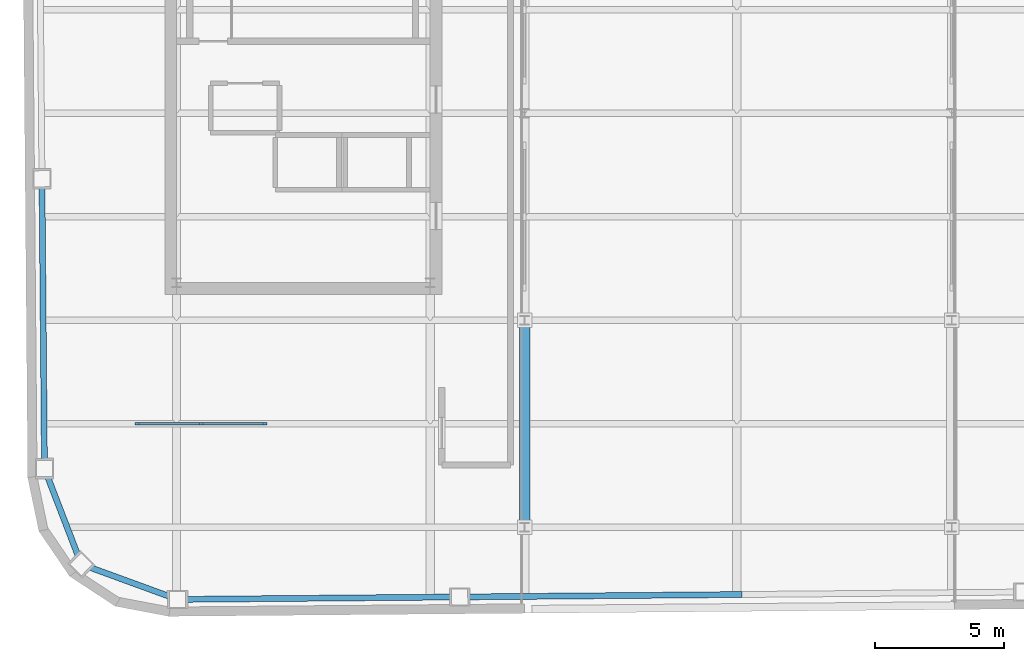
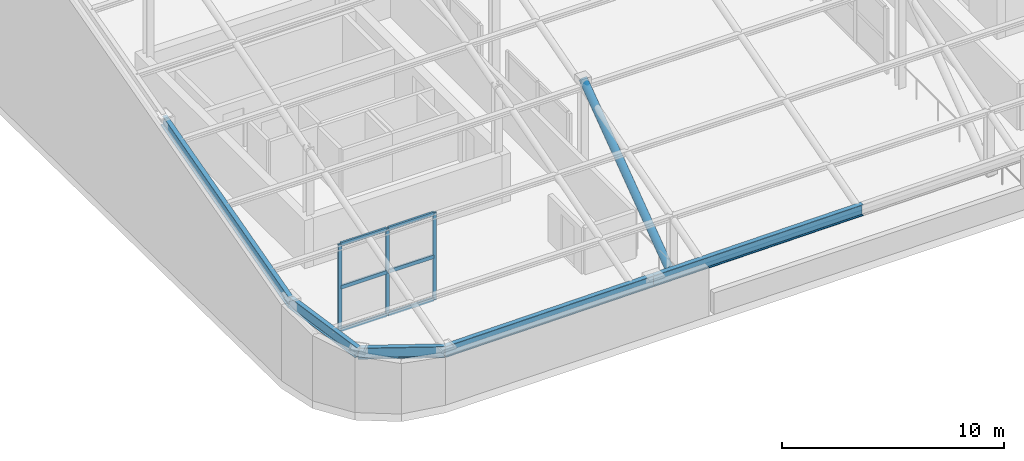
# One storey, part 5 of 17: 10 members, 5 beams, 1 element without a shape of its own.
"""IFC4 building model written with IfcOpenShell, lengths in metres."""

from ifc_helpers import new_model, si_unit, direction, frame, origin, origin_2d, place, context, subcontext, project, spatial, rectangle, hollow_circle, i_section, extrude, material, material_profile, profile_set, type_object, element, aggregate, save


model = new_model("IFC4")

# Units and contexts
model_context = context("Model", 3, precision=1e-05, world=origin(), true_north=direction((0.0, 1.0)))
body_context = subcontext(model_context, "Body", "Model", "MODEL_VIEW")
ifc_project = project(units=[si_unit("LENGTHUNIT", "METRE"), si_unit("AREAUNIT", "SQUARE_METRE"), si_unit("VOLUMEUNIT", "CUBIC_METRE"), si_unit("PLANEANGLEUNIT", "RADIAN"), si_unit("MASSUNIT", "GRAM", prefix="KILO")], contexts=[model_context])

# Site, building, storey
site_placement = place(None, origin())
site = spatial("IfcSite", under=ifc_project, at=site_placement, CompositionType="ELEMENT")
building_placement = place(site_placement, origin())
building = spatial("IfcBuilding", under=site, at=building_placement, Name="Kolvaren Arena Tower", CompositionType="ELEMENT")
storey_placement = place(building_placement, frame((0.0, 0.0, 322.0)))
storey = spatial("IfcBuildingStorey", under=building, at=storey_placement, Name="Roof Crown", CompositionType="ELEMENT", Elevation=322.0)

# Curtain wall, members
ifc_material_1 = material(Name="Anodised aluminium unitised curtain wall", Category="aluminium")
curtain_wall_type = type_object("IfcCurtainWallType", Name="CW-SYS-07", PredefinedType="USERDEFINED", material=ifc_material_1)
curtain_wall_placement = place(storey_placement, origin())
curtain_wall = element("IfcCurtainWall", 1, at=curtain_wall_placement, inside=storey, type_object=curtain_wall_type, Name="Crown Clerestory Curtain Wall (Roof Crown)", ObjectType="UNITISED CURTAIN WALL", PredefinedType="USERDEFINED")
ifc_material_2 = material(Name="Anodised aluminium 6063-T6", Category="aluminium")
ifc_material_profile_1 = material_profile(ifc_material_2, rectangle(XDim=0.080078125, YDim=0.179931640625, at=origin_2d()), Name="ALU-80x180")
ifc_profile_set_1 = profile_set([ifc_material_profile_1], Name="Anodised aluminium 6063-T6")
member_type_1 = type_object("IfcMemberType", Name="CWM-STD", PredefinedType="MULLION", material=ifc_profile_set_1)
member_1_placement = place(storey_placement, frame((13.0400390625, 14.0, 0.0), z_axis=(0.0, 0.0, 1.0), x_axis=(0.0, 1.0, 0.0)))
member_1 = element("IfcMember", 2, at=member_1_placement, type_object=member_type_1, Name="CW7 mullion 1", PredefinedType="MULLION", context=body_context, shape_type="SweptSolid", body=[
    extrude(rectangle(XDim=0.080078125, YDim=0.179931640625, at=origin_2d()), origin(), (0.0, 0.0, 1.0), 4.800048828125),
])
member_2_placement = place(storey_placement, frame((15.5, 14.0, 0.0), z_axis=(0.0, 0.0, 1.0), x_axis=(0.0, 1.0, 0.0)))
member_2 = element("IfcMember", 3, at=member_2_placement, type_object=member_type_1, Name="CW7 mullion 2", PredefinedType="MULLION", context=body_context, shape_type="SweptSolid", body=[
    extrude(rectangle(XDim=0.080078125, YDim=0.179931640625, at=origin_2d()), origin(), (0.0, 0.0, 1.0), 4.800048828125),
])
member_3_placement = place(storey_placement, frame((17.9599609375, 14.0, 0.0), z_axis=(0.0, 0.0, 1.0), x_axis=(0.0, 1.0, 0.0)))
member_3 = element("IfcMember", 4, at=member_3_placement, type_object=member_type_1, Name="CW7 mullion 3", PredefinedType="MULLION", context=body_context, shape_type="SweptSolid", body=[
    extrude(rectangle(XDim=0.080078125, YDim=0.179931640625, at=origin_2d()), origin(), (0.0, 0.0, 1.0), 4.800048828125),
])
ifc_material_profile_2 = material_profile(ifc_material_2, rectangle(XDim=0.10009765625, YDim=0.199951171875, at=origin_2d()), Name="ALU-100x200")
ifc_profile_set_2 = profile_set([ifc_material_profile_2], Name="Anodised aluminium 6063-T6")
member_type_2 = type_object("IfcMemberType", Name="CWT-HVY", PredefinedType="USERDEFINED", material=ifc_profile_set_2)
member_4_placement = place(storey_placement, frame((13.080078125, 14.0, 0.050048828125), z_axis=(1.0, 0.0, 0.0), x_axis=(0.0, 1.0, 0.0)))
member_4 = element("IfcMember", 5, at=member_4_placement, type_object=member_type_2, Name="CW7 transom 1.1", ObjectType="TRANSOM", PredefinedType="USERDEFINED", context=body_context, shape_type="SweptSolid", body=[
    extrude(rectangle(XDim=0.10009765625, YDim=0.199951171875, at=origin_2d()), origin(), (0.0, 0.0, 1.0), 2.3798828125),
])
member_5_placement = place(storey_placement, frame((13.080078125, 14.0, 2.39990234375), z_axis=(1.0, 0.0, 0.0), x_axis=(0.0, 1.0, 0.0)))
member_5 = element("IfcMember", 6, at=member_5_placement, type_object=member_type_2, Name="CW7 transom 1.2", ObjectType="TRANSOM", PredefinedType="USERDEFINED", context=body_context, shape_type="SweptSolid", body=[
    extrude(rectangle(XDim=0.10009765625, YDim=0.199951171875, at=origin_2d()), origin(), (0.0, 0.0, 1.0), 2.3798828125),
])
member_6_placement = place(storey_placement, frame((13.080078125, 14.0, 4.75), z_axis=(1.0, 0.0, 0.0), x_axis=(0.0, 1.0, 0.0)))
member_6 = element("IfcMember", 7, at=member_6_placement, type_object=member_type_2, Name="CW7 transom 1.3", ObjectType="TRANSOM", PredefinedType="USERDEFINED", context=body_context, shape_type="SweptSolid", body=[
    extrude(rectangle(XDim=0.10009765625, YDim=0.199951171875, at=origin_2d()), origin(), (0.0, 0.0, 1.0), 2.3798828125),
])
member_7_placement = place(storey_placement, frame((15.5400390625, 14.0, 0.050048828125), z_axis=(1.0, 0.0, 0.0), x_axis=(0.0, 1.0, 0.0)))
member_7 = element("IfcMember", 8, at=member_7_placement, type_object=member_type_2, Name="CW7 transom 2.1", ObjectType="TRANSOM", PredefinedType="USERDEFINED", context=body_context, shape_type="SweptSolid", body=[
    extrude(rectangle(XDim=0.10009765625, YDim=0.199951171875, at=origin_2d()), origin(), (0.0, 0.0, 1.0), 2.3798828125),
])
member_8_placement = place(storey_placement, frame((15.5400390625, 14.0, 2.39990234375), z_axis=(1.0, 0.0, 0.0), x_axis=(0.0, 1.0, 0.0)))
member_8 = element("IfcMember", 9, at=member_8_placement, type_object=member_type_2, Name="CW7 transom 2.2", ObjectType="TRANSOM", PredefinedType="USERDEFINED", context=body_context, shape_type="SweptSolid", body=[
    extrude(rectangle(XDim=0.10009765625, YDim=0.199951171875, at=origin_2d()), origin(), (0.0, 0.0, 1.0), 2.3798828125),
])
member_9_placement = place(storey_placement, frame((15.5400390625, 14.0, 4.75), z_axis=(1.0, 0.0, 0.0), x_axis=(0.0, 1.0, 0.0)))
member_9 = element("IfcMember", 10, at=member_9_placement, type_object=member_type_2, Name="CW7 transom 2.3", ObjectType="TRANSOM", PredefinedType="USERDEFINED", context=body_context, shape_type="SweptSolid", body=[
    extrude(rectangle(XDim=0.10009765625, YDim=0.199951171875, at=origin_2d()), origin(), (0.0, 0.0, 1.0), 2.3798828125),
])
aggregate(curtain_wall, [member_1, member_2, member_3, member_4, member_5, member_6, member_7, member_8, member_9])

# Beams
ifc_material_3 = material(Name="Steel CSA G40.21 350W", Category="steel")
ifc_material_profile_3 = material_profile(ifc_material_3, i_section(OverallWidth=0.22802734375, OverallDepth=0.615966796875, WebThickness=0.013916015625, FlangeThickness=0.02490234375, FilletRadius=0.014892578125, at=origin_2d()), Name="W610x174")
ifc_profile_set_3 = profile_set([ifc_material_profile_3], Name="Steel CSA G40.21 350W")
beam_type = type_object("IfcBeamType", Name="GIRD-T3", PredefinedType="BEAM", material=ifc_profile_set_3)
for number, where, z_axis, x_axis, name in (
    (11, (14.591796875, 7.210693359375, 2.477783203125), (0.99995889603, 0.008712823621, 0.002508576467), (-0.008712851036, 0.999962042393, 0.0), "Sloped Crown Roof Perimeter Ring Beam 01"),
    (12, (25.491455078125, 7.3056640625, 2.505126953125), (0.999958644201, 0.008735219425, 0.002530973833), (-0.008735247404, 0.999961846999, 0.0), "Sloped Crown Roof Perimeter Ring Beam 02"),
):
    element("IfcBeam", number, at=place(storey_placement, frame(where, z_axis=z_axis, x_axis=x_axis)), inside=storey, type_object=beam_type, Name=name, PredefinedType="BEAM", context=body_context, shape_type="SweptSolid", body=[
        extrude(i_section(OverallWidth=0.22802734375, OverallDepth=0.615966796875, WebThickness=0.013916015625, FlangeThickness=0.02490234375, FilletRadius=0.014892578125, at=origin_2d()), origin(), (0.0, 0.0, 1.0), 10.900146484375),
    ])
beam_1_placement = place(storey_placement, frame((9.349853515625, 23.465576171875, 7.1630859375), z_axis=(0.008378122547, -0.960844984345, -0.27695978611), x_axis=(0.999961987013, 0.008719204665, 0.0)))
element("IfcBeam", 13, at=beam_1_placement, inside=storey, type_object=beam_type, Name="Sloped Crown Roof Perimeter Ring Beam 20", PredefinedType="BEAM", context=body_context, shape_type="SweptSolid", body=[
    extrude(i_section(OverallWidth=0.22802734375, OverallDepth=0.615966796875, WebThickness=0.013916015625, FlangeThickness=0.02490234375, FilletRadius=0.014892578125, at=origin_2d()), origin(), (0.0, 0.0, 1.0), 11.656005859375),
])
beam_2_placement = place(storey_placement, frame((9.447509765625, 12.265869140625, 3.934814453125), z_axis=(0.347049558388, -0.901162298672, -0.259736627132), x_axis=(0.933189846698, 0.359383792094, 0.0)))
element("IfcBeam", 14, at=beam_2_placement, inside=storey, type_object=beam_type, Name="Sloped Crown Roof Perimeter Ring Beam 21", PredefinedType="BEAM", context=body_context, shape_type="SweptSolid", body=[
    extrude(i_section(OverallWidth=0.22802734375, OverallDepth=0.615966796875, WebThickness=0.013916015625, FlangeThickness=0.02490234375, FilletRadius=0.014892578125, at=origin_2d()), origin(), (0.0, 0.0, 1.0), 4.10205078125),
])
beam_3_placement = place(storey_placement, frame((10.87109375, 8.5693359375, 2.869384765625), z_axis=(0.934776470218, -0.341340620522, -0.09838461012), x_axis=(0.343004719736, 0.939333679924, 0.0)))
element("IfcBeam", 15, at=beam_3_placement, inside=storey, type_object=beam_type, Name="Sloped Crown Roof Perimeter Ring Beam 22", PredefinedType="BEAM", context=body_context, shape_type="SweptSolid", body=[
    extrude(i_section(OverallWidth=0.22802734375, OverallDepth=0.615966796875, WebThickness=0.013916015625, FlangeThickness=0.02490234375, FilletRadius=0.014892578125, at=origin_2d()), origin(), (0.0, 0.0, 1.0), 3.980224609375),
])

# Member
ifc_material_4 = material(Name="Steel CSA G40.21 350WT", Category="steel")
ifc_material_profile_4 = material_profile(ifc_material_4, hollow_circle(Radius=0.202880859375, WallThickness=0.02001953125, at=origin_2d()), Name="CHS 406x20")
ifc_profile_set_4 = profile_set([ifc_material_profile_4], Name="Steel CSA G40.21 350WT")
member_type_3 = type_object("IfcMemberType", Name="WP-BRACE1", PredefinedType="BRACE", material=ifc_profile_set_4)
member_10_placement = place(storey_placement, frame((28.0, 10.0, 0.300048828125), z_axis=(0.0, 0.80480760162, 0.593535781883), x_axis=(-1.0, 0.0, 0.0)))
element("IfcMember", 16, at=member_10_placement, inside=storey, type_object=member_type_3, Name="Wind-Portal Throat Diagonal Brace (West 1)", PredefinedType="BRACE", context=body_context, shape_type="SweptSolid", body=[
    extrude(hollow_circle(Radius=0.202880859375, WallThickness=0.02001953125, at=origin_2d()), origin(), (0.0, 0.0, 1.0), 9.940185546875),
])

save(model, "model.ifc")
